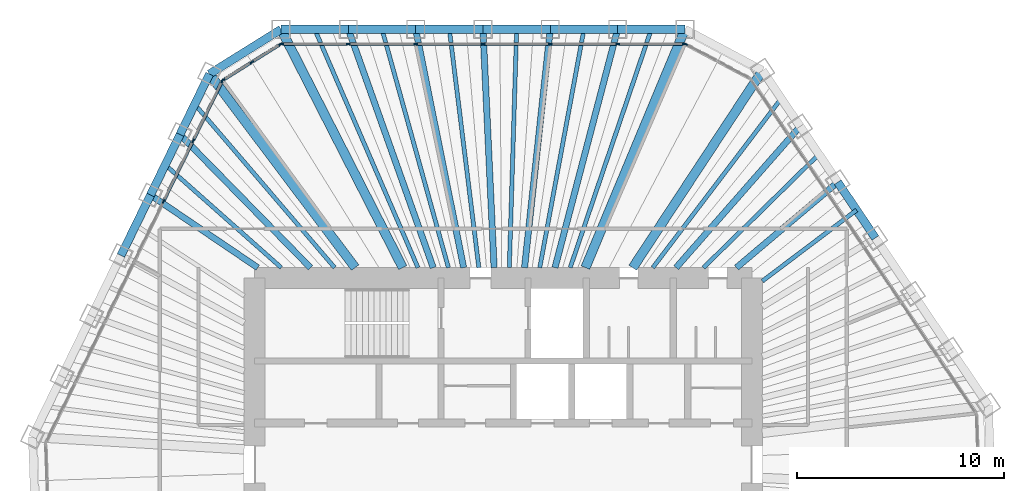
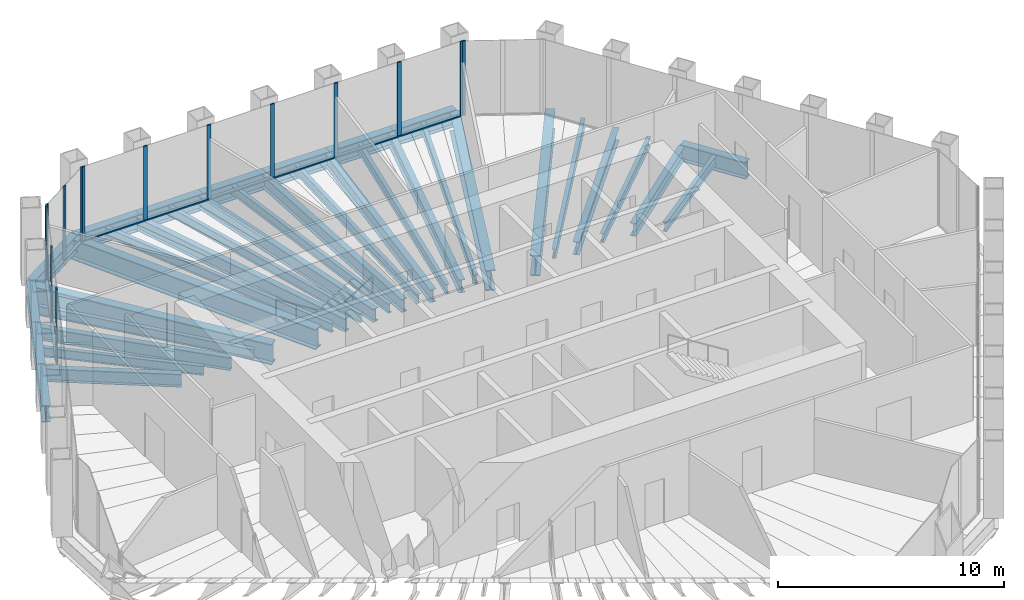
# One storey, part 7 of 14: 35 beams, 24 members, 4 elements without a shape of their own.
"""IFC4 building model written with IfcOpenShell, lengths in metres."""

from ifc_helpers import new_model, si_unit, direction, frame, origin, origin_2d, place, context, subcontext, project, spatial, rectangle, i_section, extrude, material, material_profile, profile_set, type_object, element, aggregate, save


model = new_model("IFC4")

# Units and contexts
model_context = context("Model", 3, precision=1e-05, world=origin(), true_north=direction((0.0, 1.0)))
body_context = subcontext(model_context, "Body", "Model", "MODEL_VIEW")
ifc_project = project(units=[si_unit("LENGTHUNIT", "METRE"), si_unit("AREAUNIT", "SQUARE_METRE"), si_unit("VOLUMEUNIT", "CUBIC_METRE"), si_unit("PLANEANGLEUNIT", "RADIAN"), si_unit("MASSUNIT", "GRAM", prefix="KILO")], contexts=[model_context])

# Site, building, storey
site_placement = place(None, origin())
site = spatial("IfcSite", under=ifc_project, at=site_placement, CompositionType="ELEMENT")
building_placement = place(site_placement, origin())
building = spatial("IfcBuilding", under=site, at=building_placement, Name="Qingtian Harvest Tower", CompositionType="ELEMENT")
storey_placement = place(building_placement, frame((0.0, 0.0, 278.800048828125)))
storey = spatial("IfcBuildingStorey", under=building, at=storey_placement, Name="L61", CompositionType="ELEMENT", Elevation=278.800048828125)

# Beams
ifc_material_1 = material(Name="Steel SM570MC", Category="steel")
ifc_material_profile_1 = material_profile(ifc_material_1, i_section(OverallWidth=0.449951171875, OverallDepth=1.10009765625, WebThickness=0.02197265625, FlangeThickness=0.044921875, at=origin_2d()), Name="H1100x450x22x45")
ifc_profile_set_1 = profile_set([ifc_material_profile_1], Name="Steel SM570MC")
beam_type_1 = type_object("IfcBeamType", Name="Corner floor beam FB8 H1100x450x22x45", PredefinedType="BEAM", material=ifc_profile_set_1)
beam_1_placement = place(storey_placement, frame((-10.72216796875, 21.0, -0.719970703125), z_axis=(0.454730568944, -0.890629052787, 0.0), x_axis=(0.890629052787, 0.454730568944, 0.0)))
element("IfcBeam", 1, at=beam_1_placement, inside=storey, type_object=beam_type_1, Name="Floor beam FB8 N0", PredefinedType="BEAM", context=body_context, shape_type="SweptSolid", body=[
    extrude(i_section(OverallWidth=0.449951171875, OverallDepth=1.10009765625, WebThickness=0.02197265625, FlangeThickness=0.044921875, at=origin_2d()), origin(), (0.0, 0.0, 1.0), 12.912109375),
])
beam_2_placement = place(storey_placement, frame((8.765869140625, 21.0, -0.719970703125), z_axis=(-0.385205133264, -0.922830973313, 0.0), x_axis=(0.922830973313, -0.385205133264, 0.0)))
element("IfcBeam", 2, at=beam_2_placement, inside=storey, type_object=beam_type_1, Name="Floor beam FB8 N6", PredefinedType="BEAM", context=body_context, shape_type="SweptSolid", body=[
    extrude(i_section(OverallWidth=0.449951171875, OverallDepth=1.10009765625, WebThickness=0.02197265625, FlangeThickness=0.044921875, at=origin_2d()), origin(), (0.0, 0.0, 1.0), 12.461669921875),
])
beam_3_placement = place(storey_placement, frame((12.508056640625, 19.01025390625, -0.719970703125), z_axis=(-0.549666916329, -0.835383912398, 0.0), x_axis=(0.835383912398, -0.549666916329, 0.0)))
element("IfcBeam", 3, at=beam_3_placement, inside=storey, type_object=beam_type_1, Name="Floor beam FB8 NE0", PredefinedType="BEAM", context=body_context, shape_type="SweptSolid", body=[
    extrude(i_section(OverallWidth=0.449951171875, OverallDepth=1.10009765625, WebThickness=0.02197265625, FlangeThickness=0.044921875, at=origin_2d()), origin(), (0.0, 0.0, 1.0), 11.38427734375),
])
beam_4_placement = place(storey_placement, frame((-14.17431640625, 18.8427734375, -0.719970703125), z_axis=(0.601148761641, -0.799137138655, 0.0), x_axis=(0.799137138655, 0.601148761641, 0.0)))
element("IfcBeam", 4, at=beam_4_placement, inside=storey, type_object=beam_type_1, Name="Floor beam FB8 NW6", PredefinedType="BEAM", context=body_context, shape_type="SweptSolid", body=[
    extrude(i_section(OverallWidth=0.449951171875, OverallDepth=1.10009765625, WebThickness=0.02197265625, FlangeThickness=0.044921875, at=origin_2d()), origin(), (0.0, 0.0, 1.0), 11.691162109375),
])
ifc_material_2 = material(Name="Steel SN490B", Category="steel")
ifc_material_profile_2 = material_profile(ifc_material_2, i_section(OverallWidth=0.300048828125, OverallDepth=0.699951171875, WebThickness=0.012939453125, FlangeThickness=0.02392578125, at=origin_2d()), Name="H700x300x13x24")
ifc_profile_set_2 = profile_set([ifc_material_profile_2], Name="Steel SN490B")
beam_type_2 = type_object("IfcBeamType", Name="Floor beam FB4 H700x300x13x24", PredefinedType="BEAM", material=ifc_profile_set_2)
beam_5_placement = place(storey_placement, frame((-7.47412109375, 21.0, -0.52001953125), z_axis=(0.335309922571, -0.94210787908, 0.0), x_axis=(0.94210787908, 0.335309922571, 0.0)))
element("IfcBeam", 5, at=beam_5_placement, inside=storey, type_object=beam_type_2, Name="Floor beam FB4 N1", PredefinedType="BEAM", context=body_context, shape_type="SweptSolid", body=[
    extrude(i_section(OverallWidth=0.300048828125, OverallDepth=0.699951171875, WebThickness=0.012939453125, FlangeThickness=0.02392578125, at=origin_2d()), origin(), (0.0, 0.0, 1.0), 12.206787109375),
])
beam_6_placement = place(storey_placement, frame((-4.226318359375, 21.0, -0.52001953125), z_axis=(0.197300692693, -0.980343019898, 0.0), x_axis=(0.980343019898, 0.197300692693, 0.0)))
element("IfcBeam", 6, at=beam_6_placement, inside=storey, type_object=beam_type_2, Name="Floor beam FB4 N2", PredefinedType="BEAM", context=body_context, shape_type="SweptSolid", body=[
    extrude(i_section(OverallWidth=0.300048828125, OverallDepth=0.699951171875, WebThickness=0.012939453125, FlangeThickness=0.02392578125, at=origin_2d()), origin(), (0.0, 0.0, 1.0), 11.73046875),
])
beam_7_placement = place(storey_placement, frame((-0.978271484375, 21.0, -0.52001953125), z_axis=(0.046527342366, -0.99891701678, 0.0), x_axis=(0.99891701678, 0.046527342366, 0.0)))
element("IfcBeam", 7, at=beam_7_placement, inside=storey, type_object=beam_type_2, Name="Floor beam FB4 N3", PredefinedType="BEAM", context=body_context, shape_type="SweptSolid", body=[
    extrude(i_section(OverallWidth=0.300048828125, OverallDepth=0.699951171875, WebThickness=0.012939453125, FlangeThickness=0.02392578125, at=origin_2d()), origin(), (0.0, 0.0, 1.0), 11.512451171875),
])
beam_8_placement = place(storey_placement, frame((2.269775390625, 21.0, -0.52001953125), z_axis=(-0.107454213734, -0.994210034123, 0.0), x_axis=(0.994210034123, -0.107454213734, 0.0)))
element("IfcBeam", 8, at=beam_8_placement, inside=storey, type_object=beam_type_2, Name="Floor beam FB4 N4", PredefinedType="BEAM", context=body_context, shape_type="SweptSolid", body=[
    extrude(i_section(OverallWidth=0.300048828125, OverallDepth=0.699951171875, WebThickness=0.012939453125, FlangeThickness=0.02392578125, at=origin_2d()), origin(), (0.0, 0.0, 1.0), 11.56689453125),
])
beam_9_placement = place(storey_placement, frame((5.517822265625, 21.0, -0.52001953125), z_axis=(-0.254132470973, -0.967169420111, 0.0), x_axis=(0.967169420111, -0.254132470973, 0.0)))
element("IfcBeam", 9, at=beam_9_placement, inside=storey, type_object=beam_type_2, Name="Floor beam FB4 N5", PredefinedType="BEAM", context=body_context, shape_type="SweptSolid", body=[
    extrude(i_section(OverallWidth=0.300048828125, OverallDepth=0.699951171875, WebThickness=0.012939453125, FlangeThickness=0.02392578125, at=origin_2d()), origin(), (0.0, 0.0, 1.0), 11.890380859375),
])
beam_10_placement = place(storey_placement, frame((14.32421875, 16.317626953125, -0.52001953125), z_axis=(-0.659702205655, -0.751527111856, 0.0), x_axis=(0.751527111856, -0.659702205655, 0.0)))
element("IfcBeam", 10, at=beam_10_placement, inside=storey, type_object=beam_type_2, Name="Floor beam FB4 NE1", PredefinedType="BEAM", context=body_context, shape_type="SweptSolid", body=[
    extrude(i_section(OverallWidth=0.300048828125, OverallDepth=0.699951171875, WebThickness=0.012939453125, FlangeThickness=0.02392578125, at=origin_2d()), origin(), (0.0, 0.0, 1.0), 9.07177734375),
])
beam_11_placement = place(storey_placement, frame((16.140625, 13.624755859375, -0.52001953125), z_axis=(-0.764153276603, -0.645034704382, 0.0), x_axis=(0.645034704382, -0.764153276603, 0.0)))
element("IfcBeam", 11, at=beam_11_placement, inside=storey, type_object=beam_type_2, Name="Floor beam FB4 NE2", PredefinedType="BEAM", context=body_context, shape_type="SweptSolid", body=[
    extrude(i_section(OverallWidth=0.300048828125, OverallDepth=0.699951171875, WebThickness=0.012939453125, FlangeThickness=0.02392578125, at=origin_2d()), origin(), (0.0, 0.0, 1.0), 6.39453125),
])
beam_12_placement = place(storey_placement, frame((-17.02197265625, 13.00439453125, -0.52001953125), z_axis=(0.827854296295, -0.560943191514, 0.0), x_axis=(0.560943191514, 0.827854296295, 0.0)))
element("IfcBeam", 12, at=beam_12_placement, inside=storey, type_object=beam_type_2, Name="Floor beam FB4 NW4", PredefinedType="BEAM", context=body_context, shape_type="SweptSolid", body=[
    extrude(i_section(OverallWidth=0.300048828125, OverallDepth=0.699951171875, WebThickness=0.012939453125, FlangeThickness=0.02392578125, at=origin_2d()), origin(), (0.0, 0.0, 1.0), 6.247314453125),
])
beam_13_placement = place(storey_placement, frame((-15.59814453125, 15.923583984375, -0.52001953125), z_axis=(0.699765413715, -0.714372707883, 0.0), x_axis=(0.714372707883, 0.699765413715, 0.0)))
element("IfcBeam", 13, at=beam_13_placement, inside=storey, type_object=beam_type_2, Name="Floor beam FB4 NW5", PredefinedType="BEAM", context=body_context, shape_type="SweptSolid", body=[
    extrude(i_section(OverallWidth=0.300048828125, OverallDepth=0.699951171875, WebThickness=0.012939453125, FlangeThickness=0.02392578125, at=origin_2d()), origin(), (0.0, 0.0, 1.0), 8.991943359375),
])
ifc_material_3 = material(Name="Steel SN490B", Category="steel")
ifc_material_profile_3 = material_profile(ifc_material_3, i_section(OverallWidth=0.199951171875, OverallDepth=0.5, WebThickness=0.010009765625, FlangeThickness=0.01611328125, at=origin_2d()), Name="H500x200x10x16")
ifc_profile_set_3 = profile_set([ifc_material_profile_3], Name="Steel SN490B")
beam_type_3 = type_object("IfcBeamType", Name="Floor joist J3 H500x200x10x16", PredefinedType="JOIST", material=ifc_profile_set_3)
beam_14_placement = place(storey_placement, frame((-9.09814453125, 21.0, -0.420166015625), z_axis=(0.397529807491, -0.917589261138, 0.0), x_axis=(0.917589261138, 0.397529807491, 0.0)))
element("IfcBeam", 14, at=beam_14_placement, inside=storey, type_object=beam_type_3, Name="Floor joist J3 N0", PredefinedType="JOIST", context=body_context, shape_type="SweptSolid", body=[
    extrude(i_section(OverallWidth=0.199951171875, OverallDepth=0.5, WebThickness=0.010009765625, FlangeThickness=0.01611328125, at=origin_2d()), origin(), (0.0, 0.0, 1.0), 12.532958984375),
])
beam_15_placement = place(storey_placement, frame((-5.85009765625, 21.0, -0.420166015625), z_axis=(0.268356818155, -0.963319582563, 0.0), x_axis=(0.963319582563, 0.268356818155, 0.0)))
element("IfcBeam", 15, at=beam_15_placement, inside=storey, type_object=beam_type_3, Name="Floor joist J3 N1", PredefinedType="JOIST", context=body_context, shape_type="SweptSolid", body=[
    extrude(i_section(OverallWidth=0.199951171875, OverallDepth=0.5, WebThickness=0.010009765625, FlangeThickness=0.01611328125, at=origin_2d()), origin(), (0.0, 0.0, 1.0), 11.93798828125),
])
beam_16_placement = place(storey_placement, frame((-2.602294921875, 21.0, -0.420166015625), z_axis=(0.122976702395, -0.992409557929, 0.0), x_axis=(0.992409557929, 0.122976702395, 0.0)))
element("IfcBeam", 16, at=beam_16_placement, inside=storey, type_object=beam_type_3, Name="Floor joist J3 N2", PredefinedType="JOIST", context=body_context, shape_type="SweptSolid", body=[
    extrude(i_section(OverallWidth=0.199951171875, OverallDepth=0.5, WebThickness=0.010009765625, FlangeThickness=0.01611328125, at=origin_2d()), origin(), (0.0, 0.0, 1.0), 11.587890625),
])
beam_17_placement = place(storey_placement, frame((0.645751953125, 21.0, -0.420166015625), z_axis=(-0.030725974878, -0.999527845769, 0.0), x_axis=(0.999527845769, -0.030725974878, 0.0)))
element("IfcBeam", 17, at=beam_17_placement, inside=storey, type_object=beam_type_3, Name="Floor joist J3 N3", PredefinedType="JOIST", context=body_context, shape_type="SweptSolid", body=[
    extrude(i_section(OverallWidth=0.199951171875, OverallDepth=0.5, WebThickness=0.010009765625, FlangeThickness=0.01611328125, at=origin_2d()), origin(), (0.0, 0.0, 1.0), 11.50537109375),
])
beam_18_placement = place(storey_placement, frame((3.893798828125, 21.0, -0.420166015625), z_axis=(-0.182312001941, -0.983240730416, 0.0), x_axis=(0.983240730416, -0.182312001941, 0.0)))
element("IfcBeam", 18, at=beam_18_placement, inside=storey, type_object=beam_type_3, Name="Floor joist J3 N4", PredefinedType="JOIST", context=body_context, shape_type="SweptSolid", body=[
    extrude(i_section(OverallWidth=0.199951171875, OverallDepth=0.5, WebThickness=0.010009765625, FlangeThickness=0.01611328125, at=origin_2d()), origin(), (0.0, 0.0, 1.0), 11.696044921875),
])
beam_19_placement = place(storey_placement, frame((7.141845703125, 21.0, -0.420166015625), z_axis=(-0.321968312345, -0.94675044539, 0.0), x_axis=(0.94675044539, -0.321968312345, 0.0)))
element("IfcBeam", 19, at=beam_19_placement, inside=storey, type_object=beam_type_3, Name="Floor joist J3 N5", PredefinedType="JOIST", context=body_context, shape_type="SweptSolid", body=[
    extrude(i_section(OverallWidth=0.199951171875, OverallDepth=0.5, WebThickness=0.010009765625, FlangeThickness=0.01611328125, at=origin_2d()), origin(), (0.0, 0.0, 1.0), 12.146728515625),
])
beam_20_placement = place(storey_placement, frame((13.416015625, 17.6640625, -0.420166015625), z_axis=(-0.604835675798, -0.796350303122, 0.0), x_axis=(0.796350303122, -0.604835675798, 0.0)))
element("IfcBeam", 20, at=beam_20_placement, inside=storey, type_object=beam_type_3, Name="Floor joist J3 NE0", PredefinedType="JOIST", context=body_context, shape_type="SweptSolid", body=[
    extrude(i_section(OverallWidth=0.199951171875, OverallDepth=0.5, WebThickness=0.010009765625, FlangeThickness=0.01611328125, at=origin_2d()), origin(), (0.0, 0.0, 1.0), 10.251953125),
])
beam_21_placement = place(storey_placement, frame((15.232421875, 14.97119140625, -0.420166015625), z_axis=(-0.713195408707, -0.700965269467, 0.0), x_axis=(0.700965269467, -0.713195408707, 0.0)))
element("IfcBeam", 21, at=beam_21_placement, inside=storey, type_object=beam_type_3, Name="Floor joist J3 NE1", PredefinedType="JOIST", context=body_context, shape_type="SweptSolid", body=[
    extrude(i_section(OverallWidth=0.199951171875, OverallDepth=0.5, WebThickness=0.010009765625, FlangeThickness=0.01611328125, at=origin_2d()), origin(), (0.0, 0.0, 1.0), 7.80517578125),
])
beam_22_placement = place(storey_placement, frame((17.048583984375, 12.278564453125, -0.420166015625), z_axis=(-0.79856269076, -0.601911645448, 0.0), x_axis=(0.601911645448, -0.79856269076, 0.0)))
element("IfcBeam", 22, at=beam_22_placement, inside=storey, type_object=beam_type_3, Name="Floor joist J3 NE2", PredefinedType="JOIST", context=body_context, shape_type="SweptSolid", body=[
    extrude(i_section(OverallWidth=0.199951171875, OverallDepth=0.5, WebThickness=0.010009765625, FlangeThickness=0.01611328125, at=origin_2d()), origin(), (0.0, 0.0, 1.0), 5.696044921875),
])
beam_23_placement = place(storey_placement, frame((-16.31005859375, 14.4638671875, -0.420166015625), z_axis=(0.748179407524, -0.663496476372, 0.0), x_axis=(0.663496476372, 0.748179407524, 0.0)))
element("IfcBeam", 23, at=beam_23_placement, inside=storey, type_object=beam_type_3, Name="Floor joist J3 NW4", PredefinedType="JOIST", context=body_context, shape_type="SweptSolid", body=[
    extrude(i_section(OverallWidth=0.199951171875, OverallDepth=0.5, WebThickness=0.010009765625, FlangeThickness=0.01611328125, at=origin_2d()), origin(), (0.0, 0.0, 1.0), 7.4814453125),
])
beam_24_placement = place(storey_placement, frame((-14.88623046875, 17.38330078125, -0.420166015625), z_axis=(0.650436795804, -0.7595603825, 0.0), x_axis=(0.7595603825, 0.650436795804, 0.0)))
element("IfcBeam", 24, at=beam_24_placement, inside=storey, type_object=beam_type_3, Name="Floor joist J3 NW5", PredefinedType="JOIST", context=body_context, shape_type="SweptSolid", body=[
    extrude(i_section(OverallWidth=0.199951171875, OverallDepth=0.5, WebThickness=0.010009765625, FlangeThickness=0.01611328125, at=origin_2d()), origin(), (0.0, 0.0, 1.0), 10.378662109375),
])

# Curtain wall, members
ifc_material_4 = material(Name="Bronze-anodised aluminium curtain wall", Category="aluminium")
curtain_wall_type = type_object("IfcCurtainWallType", Name="Curtain wall CW5 upper office", PredefinedType="USERDEFINED", material=ifc_material_4)
curtain_wall_1_placement = place(storey_placement, origin())
curtain_wall_1 = element("IfcCurtainWall", 25, at=curtain_wall_1_placement, inside=storey, type_object=curtain_wall_type, Name="Curtain wall CW5 L61 N0-5", ObjectType="RECESSED CURTAIN WALL", PredefinedType="USERDEFINED")
ifc_material_5 = material(Name="Bronze-anodised aluminium mullion", Category="aluminium")
ifc_material_profile_4 = material_profile(ifc_material_5, rectangle(XDim=0.06494140625, YDim=0.199951171875, at=origin_2d()), Name="AL 65x200")
ifc_profile_set_4 = profile_set([ifc_material_profile_4], Name="Bronze-anodised aluminium mullion")
member_type_1 = type_object("IfcMemberType", Name="Mullion CWM 65x200", PredefinedType="MULLION", material=ifc_profile_set_4)
member_1_placement = place(storey_placement, frame((-10.689697265625, 20.300048828125, 0.0), z_axis=(0.0, 0.0, 1.0), x_axis=(0.0, 1.0, 0.0)))
member_1 = element("IfcMember", 26, at=member_1_placement, type_object=member_type_1, Name="CW5 mullion 1", PredefinedType="MULLION", context=body_context, shape_type="SweptSolid", body=[
    extrude(rectangle(XDim=0.06494140625, YDim=0.199951171875, at=origin_2d()), origin(), (0.0, 0.0, 1.0), 4.030029296875),
])
member_2_placement = place(storey_placement, frame((-7.47412109375, 20.300048828125, 0.0), z_axis=(0.0, 0.0, 1.0), x_axis=(0.0, 1.0, 0.0)))
member_2 = element("IfcMember", 27, at=member_2_placement, type_object=member_type_1, Name="CW5 mullion 2", PredefinedType="MULLION", context=body_context, shape_type="SweptSolid", body=[
    extrude(rectangle(XDim=0.06494140625, YDim=0.199951171875, at=origin_2d()), origin(), (0.0, 0.0, 1.0), 4.030029296875),
])
member_3_placement = place(storey_placement, frame((-4.226318359375, 20.300048828125, 0.0), z_axis=(0.0, 0.0, 1.0), x_axis=(0.0, 1.0, 0.0)))
member_3 = element("IfcMember", 28, at=member_3_placement, type_object=member_type_1, Name="CW5 mullion 3", PredefinedType="MULLION", context=body_context, shape_type="SweptSolid", body=[
    extrude(rectangle(XDim=0.06494140625, YDim=0.199951171875, at=origin_2d()), origin(), (0.0, 0.0, 1.0), 4.030029296875),
])
member_4_placement = place(storey_placement, frame((-0.978271484375, 20.300048828125, 0.0), z_axis=(0.0, 0.0, 1.0), x_axis=(0.0, 1.0, 0.0)))
member_4 = element("IfcMember", 29, at=member_4_placement, type_object=member_type_1, Name="CW5 mullion 4", PredefinedType="MULLION", context=body_context, shape_type="SweptSolid", body=[
    extrude(rectangle(XDim=0.06494140625, YDim=0.199951171875, at=origin_2d()), origin(), (0.0, 0.0, 1.0), 4.030029296875),
])
member_5_placement = place(storey_placement, frame((2.269775390625, 20.300048828125, 0.0), z_axis=(0.0, 0.0, 1.0), x_axis=(0.0, 1.0, 0.0)))
member_5 = element("IfcMember", 30, at=member_5_placement, type_object=member_type_1, Name="CW5 mullion 5", PredefinedType="MULLION", context=body_context, shape_type="SweptSolid", body=[
    extrude(rectangle(XDim=0.06494140625, YDim=0.199951171875, at=origin_2d()), origin(), (0.0, 0.0, 1.0), 4.030029296875),
])
member_6_placement = place(storey_placement, frame((5.517822265625, 20.300048828125, 0.0), z_axis=(0.0, 0.0, 1.0), x_axis=(0.0, 1.0, 0.0)))
member_6 = element("IfcMember", 31, at=member_6_placement, type_object=member_type_1, Name="CW5 mullion 6", PredefinedType="MULLION", context=body_context, shape_type="SweptSolid", body=[
    extrude(rectangle(XDim=0.06494140625, YDim=0.199951171875, at=origin_2d()), origin(), (0.0, 0.0, 1.0), 4.030029296875),
])
member_7_placement = place(storey_placement, frame((8.7333984375, 20.300048828125, 0.0), z_axis=(0.0, 0.0, 1.0), x_axis=(0.0, 1.0, 0.0)))
member_7 = element("IfcMember", 32, at=member_7_placement, type_object=member_type_1, Name="CW5 mullion 7", PredefinedType="MULLION", context=body_context, shape_type="SweptSolid", body=[
    extrude(rectangle(XDim=0.06494140625, YDim=0.199951171875, at=origin_2d()), origin(), (0.0, 0.0, 1.0), 4.030029296875),
])

# Curtain wall, member
curtain_wall_2_placement = place(storey_placement, origin())
curtain_wall_2 = element("IfcCurtainWall", 33, at=curtain_wall_2_placement, inside=storey, type_object=curtain_wall_type, Name="Curtain wall CW5 L61 NC", ObjectType="RECESSED CURTAIN WALL", PredefinedType="USERDEFINED")
member_8_placement = place(storey_placement, frame((8.794677734375, 20.28466796875, 0.0), z_axis=(0.0, 0.0, 1.0), x_axis=(0.469471562786, 0.882947592859, 0.0)))
member_8 = element("IfcMember", 34, at=member_8_placement, type_object=member_type_1, Name="CW5 mullion 1", PredefinedType="MULLION", context=body_context, shape_type="SweptSolid", body=[
    extrude(rectangle(XDim=0.06494140625, YDim=0.199951171875, at=origin_2d()), origin(), (0.0, 0.0, 1.0), 4.030029296875),
])
aggregate(curtain_wall_2, [member_8])

# Curtain wall, members
curtain_wall_3_placement = place(storey_placement, origin())
curtain_wall_3 = element("IfcCurtainWall", 35, at=curtain_wall_3_placement, inside=storey, type_object=curtain_wall_type, Name="Curtain wall CW5 L61 NW0-5", ObjectType="RECESSED CURTAIN WALL", PredefinedType="USERDEFINED")
member_9_placement = place(storey_placement, frame((-16.392822265625, 12.697509765625, 0.0), z_axis=(0.0, 0.0, 1.0), x_axis=(-0.898794046299, 0.438371146789, 0.0)))
member_9 = element("IfcMember", 36, at=member_9_placement, type_object=member_type_1, Name="CW5 mullion 5", PredefinedType="MULLION", context=body_context, shape_type="SweptSolid", body=[
    extrude(rectangle(XDim=0.06494140625, YDim=0.199951171875, at=origin_2d()), origin(), (0.0, 0.0, 1.0), 4.030029296875),
])
member_10_placement = place(storey_placement, frame((-14.968994140625, 15.61669921875, 0.0), z_axis=(0.0, 0.0, 1.0), x_axis=(-0.898794046299, 0.438371146789, 0.0)))
member_10 = element("IfcMember", 37, at=member_10_placement, type_object=member_type_1, Name="CW5 mullion 6", PredefinedType="MULLION", context=body_context, shape_type="SweptSolid", body=[
    extrude(rectangle(XDim=0.06494140625, YDim=0.199951171875, at=origin_2d()), origin(), (0.0, 0.0, 1.0), 4.030029296875),
])
member_11_placement = place(storey_placement, frame((-13.559326171875, 18.5068359375, 0.0), z_axis=(0.0, 0.0, 1.0), x_axis=(-0.898794046299, 0.438371146789, 0.0)))
member_11 = element("IfcMember", 38, at=member_11_placement, type_object=member_type_1, Name="CW5 mullion 7", PredefinedType="MULLION", context=body_context, shape_type="SweptSolid", body=[
    extrude(rectangle(XDim=0.06494140625, YDim=0.199951171875, at=origin_2d()), origin(), (0.0, 0.0, 1.0), 4.030029296875),
])

curtain_wall_4_placement = place(storey_placement, origin())
curtain_wall_4 = element("IfcCurtainWall", 39, at=curtain_wall_4_placement, inside=storey, type_object=curtain_wall_type, Name="Curtain wall CW5 L61 NWC", ObjectType="RECESSED CURTAIN WALL", PredefinedType="USERDEFINED")
member_12_placement = place(storey_placement, frame((-13.517578125, 18.55322265625, 0.0), z_axis=(0.0, 0.0, 1.0), x_axis=(-0.529919264233, 0.848048096156, 0.0)))
member_12 = element("IfcMember", 40, at=member_12_placement, type_object=member_type_1, Name="CW5 mullion 1", PredefinedType="MULLION", context=body_context, shape_type="SweptSolid", body=[
    extrude(rectangle(XDim=0.06494140625, YDim=0.199951171875, at=origin_2d()), origin(), (0.0, 0.0, 1.0), 4.030029296875),
])
member_13_placement = place(storey_placement, frame((-12.1337890625, 19.41796875, 0.0), z_axis=(0.0, 0.0, 1.0), x_axis=(-0.529919264233, 0.848048096156, 0.0)))
member_13 = element("IfcMember", 41, at=member_13_placement, type_object=member_type_1, Name="CW5 mullion 2", PredefinedType="MULLION", context=body_context, shape_type="SweptSolid", body=[
    extrude(rectangle(XDim=0.06494140625, YDim=0.199951171875, at=origin_2d()), origin(), (0.0, 0.0, 1.0), 4.030029296875),
])
member_14_placement = place(storey_placement, frame((-10.749755859375, 20.28271484375, 0.0), z_axis=(0.0, 0.0, 1.0), x_axis=(-0.529919264233, 0.848048096156, 0.0)))
member_14 = element("IfcMember", 42, at=member_14_placement, type_object=member_type_1, Name="CW5 mullion 3", PredefinedType="MULLION", context=body_context, shape_type="SweptSolid", body=[
    extrude(rectangle(XDim=0.06494140625, YDim=0.199951171875, at=origin_2d()), origin(), (0.0, 0.0, 1.0), 4.030029296875),
])

# Beams
ifc_material_6 = material(Name="Steel SN490B", Category="steel")
ifc_material_profile_5 = material_profile(ifc_material_6, i_section(OverallWidth=0.39990234375, OverallDepth=0.89990234375, WebThickness=0.01904296875, FlangeThickness=0.035888671875, at=origin_2d()), Name="H900x400x19x36")
ifc_profile_set_5 = profile_set([ifc_material_profile_5], Name="Steel SN490B")
beam_type_4 = type_object("IfcBeamType", Name="Spandrel beam SB4 H900x400x19x36", PredefinedType="SPANDREL", material=ifc_profile_set_5)
beam_25_placement = place(storey_placement, frame((-10.72216796875, 21.0, -0.449951171875), z_axis=(1.0, 0.0, 0.0), x_axis=(0.0, 1.0, 0.0)))
element("IfcBeam", 43, at=beam_25_placement, inside=storey, type_object=beam_type_4, Name="Spandrel SB4 N0", PredefinedType="SPANDREL", context=body_context, shape_type="SweptSolid", body=[
    extrude(i_section(OverallWidth=0.39990234375, OverallDepth=0.89990234375, WebThickness=0.01904296875, FlangeThickness=0.035888671875, at=origin_2d()), origin(), (0.0, 0.0, 1.0), 3.248046875),
])
beam_26_placement = place(storey_placement, frame((-7.47412109375, 21.0, -0.449951171875), z_axis=(1.0, 0.0, 0.0), x_axis=(0.0, 1.0, 0.0)))
element("IfcBeam", 44, at=beam_26_placement, inside=storey, type_object=beam_type_4, Name="Spandrel SB4 N1", PredefinedType="SPANDREL", context=body_context, shape_type="SweptSolid", body=[
    extrude(i_section(OverallWidth=0.39990234375, OverallDepth=0.89990234375, WebThickness=0.01904296875, FlangeThickness=0.035888671875, at=origin_2d()), origin(), (0.0, 0.0, 1.0), 3.247802734375),
])
for number, where, z_axis, x_axis, name in (
    (45, (-4.226318359375, 21.0, -0.449951171875), (1.0, 0.0, 0.0), (0.0, 1.0, 0.0), "Spandrel SB4 N2"),
    (46, (-0.978271484375, 21.0, -0.449951171875), (1.0, 0.0, 0.0), (0.0, 1.0, 0.0), "Spandrel SB4 N3"),
    (47, (2.269775390625, 21.0, -0.449951171875), (1.0, 0.0, 0.0), (0.0, 1.0, 0.0), "Spandrel SB4 N4"),
    (48, (5.517822265625, 21.0, -0.449951171875), (1.0, 0.0, 0.0), (0.0, 1.0, 0.0), "Spandrel SB4 N5"),
):
    element("IfcBeam", number, at=place(storey_placement, frame(where, z_axis=z_axis, x_axis=x_axis)), inside=storey, type_object=beam_type_4, Name=name, PredefinedType="SPANDREL", context=body_context, shape_type="SweptSolid", body=[
        extrude(i_section(OverallWidth=0.39990234375, OverallDepth=0.89990234375, WebThickness=0.01904296875, FlangeThickness=0.035888671875, at=origin_2d()), origin(), (0.0, 0.0, 1.0), 3.248046875),
    ])
beam_27_placement = place(storey_placement, frame((16.140625, 13.624755859375, -0.449951171875), z_axis=(0.559184924833, -0.829042954158, 0.0), x_axis=(0.829042954158, 0.559184924833, 0.0)))
element("IfcBeam", 49, at=beam_27_placement, inside=storey, type_object=beam_type_4, Name="Spandrel SB4 NE2", PredefinedType="SPANDREL", context=body_context, shape_type="SweptSolid", body=[
    extrude(i_section(OverallWidth=0.39990234375, OverallDepth=0.89990234375, WebThickness=0.01904296875, FlangeThickness=0.035888671875, at=origin_2d()), origin(), (0.0, 0.0, 1.0), 3.247802734375),
])
beam_28_placement = place(storey_placement, frame((-18.44580078125, 10.0849609375, -0.449951171875), z_axis=(0.438352548749, 0.898803116931, 0.0), x_axis=(-0.898803116931, 0.438352548749, 0.0)))
element("IfcBeam", 50, at=beam_28_placement, inside=storey, type_object=beam_type_4, Name="Spandrel SB4 NW3", PredefinedType="SPANDREL", context=body_context, shape_type="SweptSolid", body=[
    extrude(i_section(OverallWidth=0.39990234375, OverallDepth=0.89990234375, WebThickness=0.01904296875, FlangeThickness=0.035888671875, at=origin_2d()), origin(), (0.0, 0.0, 1.0), 3.248046875),
])
for number, where, z_axis, x_axis, name in (
    (51, (-17.02197265625, 13.00439453125, -0.449951171875), (0.438382164311, 0.898788672611, 0.0), (-0.898788672611, 0.438382164311, 0.0), "Spandrel SB4 NW4"),
    (52, (-15.59814453125, 15.923583984375, -0.449951171875), (0.438382164311, 0.898788672611, 0.0), (-0.898788672611, 0.438382164311, 0.0), "Spandrel SB4 NW5"),
):
    element("IfcBeam", number, at=place(storey_placement, frame(where, z_axis=z_axis, x_axis=x_axis)), inside=storey, type_object=beam_type_4, Name=name, PredefinedType="SPANDREL", context=body_context, shape_type="SweptSolid", body=[
        extrude(i_section(OverallWidth=0.39990234375, OverallDepth=0.89990234375, WebThickness=0.01904296875, FlangeThickness=0.035888671875, at=origin_2d()), origin(), (0.0, 0.0, 1.0), 3.247802734375),
    ])
beam_29_placement = place(storey_placement, frame((-14.17431640625, 18.8427734375, -0.449951171875), z_axis=(0.848038733752, 0.529934246919, 0.0), x_axis=(-0.529934246919, 0.848038733752, 0.0)))
element("IfcBeam", 53, at=beam_29_placement, inside=storey, type_object=beam_type_4, Name="Spandrel SB4 NWC", PredefinedType="SPANDREL", context=body_context, shape_type="SweptSolid", body=[
    extrude(i_section(OverallWidth=0.39990234375, OverallDepth=0.89990234375, WebThickness=0.01904296875, FlangeThickness=0.035888671875, at=origin_2d()), origin(), (0.0, 0.0, 1.0), 4.07080078125),
])

# Member
ifc_material_7 = material(Name="Bronze-anodised aluminium transom", Category="aluminium")
ifc_material_profile_6 = material_profile(ifc_material_7, rectangle(XDim=0.14990234375, YDim=0.06494140625, at=origin_2d()), Name="AL 65x150")
ifc_profile_set_6 = profile_set([ifc_material_profile_6], Name="Bronze-anodised aluminium transom")
member_type_2 = type_object("IfcMemberType", Name="Transom CWT 65x150", PredefinedType="USERDEFINED", material=ifc_profile_set_6)
member_15_placement = place(storey_placement, frame((-10.6572265625, 20.300048828125, 0.032470703125), z_axis=(1.0, 0.0, 0.0), x_axis=(0.0, 1.0, 0.0)))
member_15 = element("IfcMember", 54, at=member_15_placement, type_object=member_type_2, Name="CW5 transom 1.1", ObjectType="TRANSOM", PredefinedType="USERDEFINED", context=body_context, shape_type="SweptSolid", body=[
    extrude(rectangle(XDim=0.14990234375, YDim=0.06494140625, at=origin_2d()), origin(), (0.0, 0.0, 1.0), 3.150390625),
])

member_16_placement = place(storey_placement, frame((-7.441650390625, 20.300048828125, 0.032470703125), z_axis=(1.0, 0.0, 0.0), x_axis=(0.0, 1.0, 0.0)))
member_16 = element("IfcMember", 55, at=member_16_placement, type_object=member_type_2, Name="CW5 transom 2.1", ObjectType="TRANSOM", PredefinedType="USERDEFINED", context=body_context, shape_type="SweptSolid", body=[
    extrude(rectangle(XDim=0.14990234375, YDim=0.06494140625, at=origin_2d()), origin(), (0.0, 0.0, 1.0), 3.182861328125),
])

member_17_placement = place(storey_placement, frame((-4.193603515625, 20.300048828125, 0.032470703125), z_axis=(1.0, 0.0, 0.0), x_axis=(0.0, 1.0, 0.0)))
member_17 = element("IfcMember", 56, at=member_17_placement, type_object=member_type_2, Name="CW5 transom 3.1", ObjectType="TRANSOM", PredefinedType="USERDEFINED", context=body_context, shape_type="SweptSolid", body=[
    extrude(rectangle(XDim=0.14990234375, YDim=0.06494140625, at=origin_2d()), origin(), (0.0, 0.0, 1.0), 3.182861328125),
])

member_18_placement = place(storey_placement, frame((-0.94580078125, 20.300048828125, 0.032470703125), z_axis=(1.0, 0.0, 0.0), x_axis=(0.0, 1.0, 0.0)))
member_18 = element("IfcMember", 57, at=member_18_placement, type_object=member_type_2, Name="CW5 transom 4.1", ObjectType="TRANSOM", PredefinedType="USERDEFINED", context=body_context, shape_type="SweptSolid", body=[
    extrude(rectangle(XDim=0.14990234375, YDim=0.06494140625, at=origin_2d()), origin(), (0.0, 0.0, 1.0), 3.18310546875),
])

member_19_placement = place(storey_placement, frame((2.30224609375, 20.300048828125, 0.032470703125), z_axis=(1.0, 0.0, 0.0), x_axis=(0.0, 1.0, 0.0)))
member_19 = element("IfcMember", 58, at=member_19_placement, type_object=member_type_2, Name="CW5 transom 5.1", ObjectType="TRANSOM", PredefinedType="USERDEFINED", context=body_context, shape_type="SweptSolid", body=[
    extrude(rectangle(XDim=0.14990234375, YDim=0.06494140625, at=origin_2d()), origin(), (0.0, 0.0, 1.0), 3.18310546875),
])

member_20_placement = place(storey_placement, frame((5.55029296875, 20.300048828125, 0.032470703125), z_axis=(1.0, 0.0, 0.0), x_axis=(0.0, 1.0, 0.0)))
member_20 = element("IfcMember", 59, at=member_20_placement, type_object=member_type_2, Name="CW5 transom 6.1", ObjectType="TRANSOM", PredefinedType="USERDEFINED", context=body_context, shape_type="SweptSolid", body=[
    extrude(rectangle(XDim=0.14990234375, YDim=0.06494140625, at=origin_2d()), origin(), (0.0, 0.0, 1.0), 3.150634765625),
])

aggregate(curtain_wall_1, [member_1, member_2, member_3, member_4, member_5, member_6, member_7, member_15, member_16, member_17, member_18, member_19, member_20])

member_21_placement = place(storey_placement, frame((-16.378662109375, 12.7265625, 0.032470703125), z_axis=(0.438355626738, 0.898801615768, 0.0), x_axis=(-0.898801615768, 0.438355626738, 0.0)))
member_21 = element("IfcMember", 60, at=member_21_placement, type_object=member_type_2, Name="CW5 transom 5.1", ObjectType="TRANSOM", PredefinedType="USERDEFINED", context=body_context, shape_type="SweptSolid", body=[
    extrude(rectangle(XDim=0.14990234375, YDim=0.06494140625, at=origin_2d()), origin(), (0.0, 0.0, 1.0), 3.182861328125),
])

member_22_placement = place(storey_placement, frame((-14.954833984375, 15.64599609375, 0.032470703125), z_axis=(0.438388515075, 0.898785575012, 0.0), x_axis=(-0.898785575012, 0.438388515075, 0.0)))
member_22 = element("IfcMember", 61, at=member_22_placement, type_object=member_type_2, Name="CW5 transom 6.1", ObjectType="TRANSOM", PredefinedType="USERDEFINED", context=body_context, shape_type="SweptSolid", body=[
    extrude(rectangle(XDim=0.14990234375, YDim=0.06494140625, at=origin_2d()), origin(), (0.0, 0.0, 1.0), 3.150390625),
])

aggregate(curtain_wall_3, [member_9, member_10, member_11, member_21, member_22])

member_23_placement = place(storey_placement, frame((-13.489990234375, 18.570556640625, 0.032470703125), z_axis=(0.848015812303, 0.529970925697, 0.0), x_axis=(-0.529970925697, 0.848015812303, 0.0)))
member_23 = element("IfcMember", 62, at=member_23_placement, type_object=member_type_2, Name="CW5 transom 1.1", ObjectType="TRANSOM", PredefinedType="USERDEFINED", context=body_context, shape_type="SweptSolid", body=[
    extrude(rectangle(XDim=0.14990234375, YDim=0.06494140625, at=origin_2d()), origin(), (0.0, 0.0, 1.0), 1.566650390625),
])

member_24_placement = place(storey_placement, frame((-12.106201171875, 19.435302734375, 0.032470703125), z_axis=(0.848059570903, 0.529900900357, 0.0), x_axis=(-0.529900900357, 0.848059570903, 0.0)))
member_24 = element("IfcMember", 63, at=member_24_placement, type_object=member_type_2, Name="CW5 transom 2.1", ObjectType="TRANSOM", PredefinedType="USERDEFINED", context=body_context, shape_type="SweptSolid", body=[
    extrude(rectangle(XDim=0.14990234375, YDim=0.06494140625, at=origin_2d()), origin(), (0.0, 0.0, 1.0), 1.56689453125),
])

aggregate(curtain_wall_4, [member_12, member_13, member_14, member_23, member_24])

save(model, "model.ifc")
